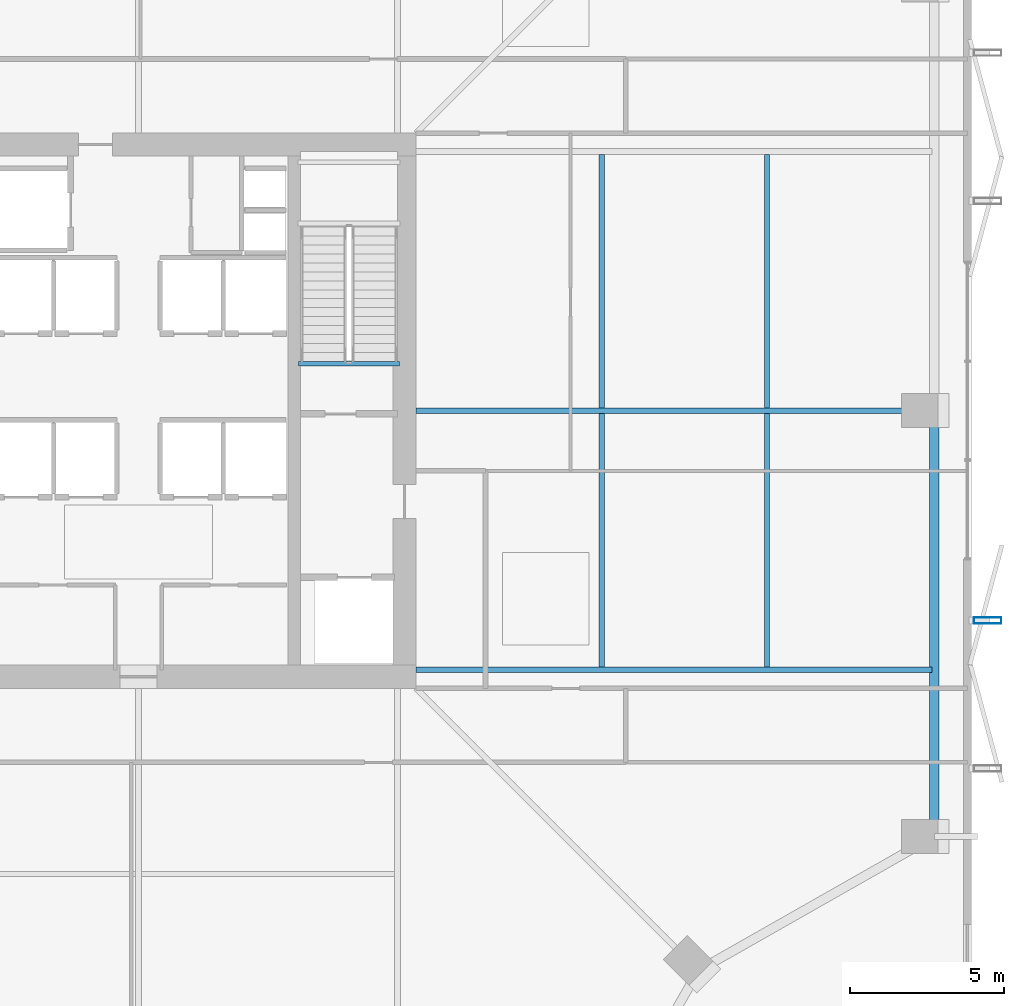
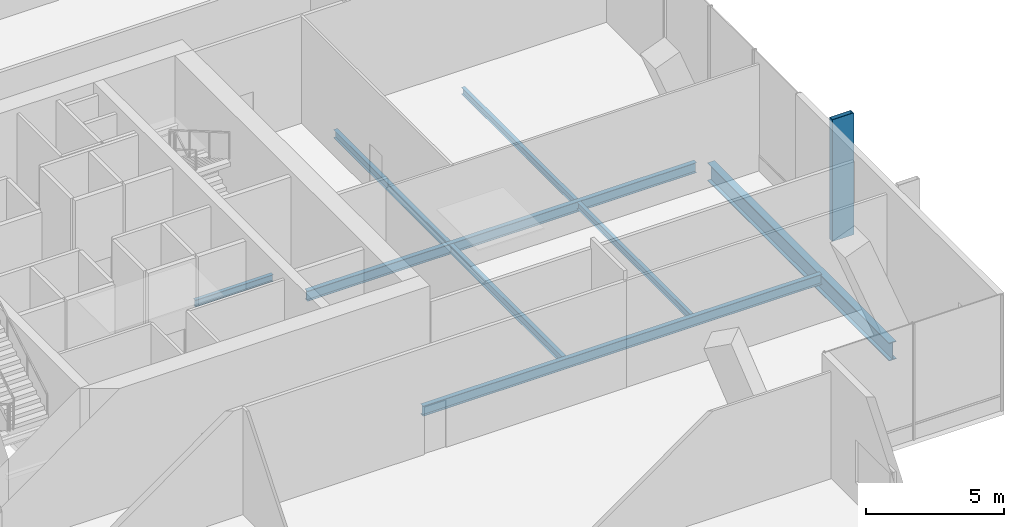
# One storey, part 15 of 33: 8 beams, 1 member.
"""IFC4 building model written with IfcOpenShell, lengths in metres."""

from ifc_helpers import new_model, si_unit, direction, frame, origin, origin_2d, place, context, subcontext, project, spatial, hollow_rectangle, i_section, extrude, material, material_profile, profile_set, type_object, element, save


model = new_model("IFC4")

# Units and contexts
model_context = context("Model", 3, precision=1e-05, world=origin(), true_north=direction((0.0, 1.0)))
body_context = subcontext(model_context, "Body", "Model", "MODEL_VIEW")
ifc_project = project(units=[si_unit("LENGTHUNIT", "METRE"), si_unit("AREAUNIT", "SQUARE_METRE"), si_unit("VOLUMEUNIT", "CUBIC_METRE"), si_unit("PLANEANGLEUNIT", "RADIAN"), si_unit("MASSUNIT", "GRAM", prefix="KILO")], contexts=[model_context])

# Site, building, storey
site_placement = place(None, origin())
site = spatial("IfcSite", under=ifc_project, at=site_placement, CompositionType="ELEMENT")
building_placement = place(site_placement, origin())
building = spatial("IfcBuilding", under=site, at=building_placement, Name="Belovzor Exchange Tower", CompositionType="ELEMENT")
storey_placement = place(building_placement, frame((0.0, 0.0, 241.199951171875)))
storey = spatial("IfcBuildingStorey", under=building, at=storey_placement, Name="L60", CompositionType="ELEMENT", Elevation=241.199951171875)

# Beams
ifc_material_1 = material(Name="Steel S355", Category="steel")
ifc_material_profile_1 = material_profile(ifc_material_1, i_section(OverallWidth=0.169921875, OverallDepth=0.360107421875, WebThickness=0.008056640625, FlangeThickness=0.0126953125, at=origin_2d()))
ifc_profile_set_1 = profile_set([ifc_material_profile_1], Name="Steel S355")
beam_type_1 = type_object("IfcBeamType", Name="Secondary Infill Floor Joist IPE 360", PredefinedType="BEAM", material=ifc_profile_set_1)
for number, where, z_axis, x_axis, name in (
    (1, (43.821044921875, 20.4951171875, -0.429931640625), (0.0, 1.0, 0.0), (-1.0, 0.0, 0.0), "FJ-360 Secondary Infill Floor Joist IPE 360"),
    (2, (43.821044921875, 28.89501953125, -0.429931640625), (0.0, 1.0, 0.0), (-1.0, 0.0, 0.0), "FJ-360 Secondary Infill Floor Joist IPE 360"),
):
    element("IfcBeam", number, at=place(storey_placement, frame(where, z_axis=z_axis, x_axis=x_axis)), inside=storey, type_object=beam_type_1, Name=name, PredefinedType="BEAM", context=body_context, shape_type="SweptSolid", body=[
        extrude(i_section(OverallWidth=0.169921875, OverallDepth=0.360107421875, WebThickness=0.008056640625, FlangeThickness=0.0126953125, at=origin_2d()), origin(), (0.0, 0.0, 1.0), 8.2099609375),
    ])
ifc_material_2 = material(Name="Steel S355", Category="steel")
ifc_material_profile_2 = material_profile(ifc_material_2, i_section(OverallWidth=0.14990234375, OverallDepth=0.300048828125, WebThickness=0.007080078125, FlangeThickness=0.0107421875, at=origin_2d()))
ifc_profile_set_2 = profile_set([ifc_material_profile_2], Name="Steel S355")
beam_type_2 = type_object("IfcBeamType", Name="Secondary Trim Floor Joist IPE 300", PredefinedType="BEAM", material=ifc_profile_set_2)
beam_1_placement = place(storey_placement, frame((37.260009765625, 30.320068359375, -0.39990234375), z_axis=(-1.0, 0.0, 0.0), x_axis=(0.0, -1.0, 0.0)))
element("IfcBeam", 3, at=beam_1_placement, inside=storey, type_object=beam_type_2, Name="FJ-300 Secondary Trim Floor Joist IPE 300", PredefinedType="BEAM", context=body_context, shape_type="SweptSolid", body=[
    extrude(i_section(OverallWidth=0.14990234375, OverallDepth=0.300048828125, WebThickness=0.007080078125, FlangeThickness=0.0107421875, at=origin_2d()), origin(), (0.0, 0.0, 1.0), 3.27001953125),
])
for number, where, z_axis, x_axis, name in (
    (4, (49.173095703125, 20.4951171875, -0.39990234375), (0.0, 1.0, 0.0), (-1.0, 0.0, 0.0), "FJ-300 Secondary Trim Floor Joist IPE 300"),
    (5, (49.173095703125, 28.89501953125, -0.39990234375), (0.0, 1.0, 0.0), (-1.0, 0.0, 0.0), "FJ-300 Secondary Trim Floor Joist IPE 300"),
):
    element("IfcBeam", number, at=place(storey_placement, frame(where, z_axis=z_axis, x_axis=x_axis)), inside=storey, type_object=beam_type_2, Name=name, PredefinedType="BEAM", context=body_context, shape_type="SweptSolid", body=[
        extrude(i_section(OverallWidth=0.14990234375, OverallDepth=0.300048828125, WebThickness=0.007080078125, FlangeThickness=0.0107421875, at=origin_2d()), origin(), (0.0, 0.0, 1.0), 8.2099609375),
    ])
ifc_material_3 = material(Name="Steel S355", Category="steel")
ifc_material_profile_3 = material_profile(ifc_material_3, i_section(OverallWidth=0.300048828125, OverallDepth=0.800048828125, WebThickness=0.017578125, FlangeThickness=0.032958984375, at=origin_2d()))
ifc_profile_set_3 = profile_set([ifc_material_profile_3], Name="Steel S355")
beam_type_3 = type_object("IfcBeamType", Name="Sky-Lobby Primary Girder HEB 800", PredefinedType="BEAM", material=ifc_profile_set_3)
beam_2_placement = place(storey_placement, frame((54.60009765625, 15.302978515625, -0.64990234375), z_axis=(0.0, 1.0, 0.0), x_axis=(-1.0, 0.0, 0.0)))
element("IfcBeam", 6, at=beam_2_placement, inside=storey, type_object=beam_type_3, Name="SG-1 Sky-Lobby Primary Girder HEB 800", PredefinedType="BEAM", context=body_context, shape_type="SweptSolid", body=[
    extrude(i_section(OverallWidth=0.300048828125, OverallDepth=0.800048828125, WebThickness=0.017578125, FlangeThickness=0.032958984375, at=origin_2d()), origin(), (0.0, 0.0, 1.0), 13.195068359375),
])

# Member
ifc_material_4 = material(Name="Extruded Architectural Terracotta on Steel S355 Carrier", Category="masonry")
ifc_material_profile_4 = material_profile(ifc_material_4, hollow_rectangle(XDim=0.199951171875, YDim=0.89990234375, WallThickness=0.011962890625, at=origin_2d()))
ifc_profile_set_4 = profile_set([ifc_material_profile_4], Name="Extruded Architectural Terracotta on Steel S355 Carrier")
member_type = type_object("IfcMemberType", Name="Sweeping Terracotta Baguette Fin Assembly 950", PredefinedType="USERDEFINED", material=ifc_profile_set_4)
member_placement = place(storey_placement, frame((56.324951171875, 22.0, -0.25), z_axis=(0.0, 0.0, 1.0), x_axis=(0.0, 1.0, 0.0)))
element("IfcMember", 7, at=member_placement, inside=storey, type_object=member_type, Name="FIN-TC095 Terracotta Facade Fin L60 E2", ObjectType="FIN", PredefinedType="USERDEFINED", context=body_context, shape_type="SweptSolid", body=[
    extrude(hollow_rectangle(XDim=0.199951171875, YDim=0.89990234375, WallThickness=0.011962890625, at=origin_2d()), origin(), (0.0, 0.0, 1.0), 5.400146484375),
])

# Beams
ifc_material_5 = material(Name="Steel S355", Category="steel")
ifc_material_profile_5 = material_profile(ifc_material_5, i_section(OverallWidth=0.18994140625, OverallDepth=0.449951171875, WebThickness=0.009521484375, FlangeThickness=0.0146484375, at=origin_2d()))
ifc_profile_set_5 = profile_set([ifc_material_profile_5], Name="Steel S355")
beam_type_4 = type_object("IfcBeamType", Name="Zone 2-4 Radial Composite Floor Beam IPE 450", PredefinedType="BEAM", material=ifc_profile_set_5)
beam_3_placement = place(storey_placement, frame((37.800048828125, 20.39990234375, -0.474853515625), z_axis=(1.0, 0.0, 0.0), x_axis=(0.0, 1.0, 0.0)))
element("IfcBeam", 8, at=beam_3_placement, inside=storey, type_object=beam_type_4, Name="FB-450 Zone 2-4 Radial Composite Floor Beam IPE 450", PredefinedType="BEAM", context=body_context, shape_type="SweptSolid", body=[
    extrude(i_section(OverallWidth=0.18994140625, OverallDepth=0.449951171875, WebThickness=0.009521484375, FlangeThickness=0.0146484375, at=origin_2d()), origin(), (0.0, 0.0, 1.0), 16.724853515625),
])
beam_4_placement = place(storey_placement, frame((37.800048828125, 28.800048828125, -0.474853515625), z_axis=(1.0, 0.0, 0.0), x_axis=(0.0, 1.0, 0.0)))
element("IfcBeam", 9, at=beam_4_placement, inside=storey, type_object=beam_type_4, Name="FB-450 Zone 2-4 Radial Composite Floor Beam IPE 450", PredefinedType="BEAM", context=body_context, shape_type="SweptSolid", body=[
    extrude(i_section(OverallWidth=0.18994140625, OverallDepth=0.449951171875, WebThickness=0.009521484375, FlangeThickness=0.0146484375, at=origin_2d()), origin(), (0.0, 0.0, 1.0), 16.31591796875),
])

save(model, "model.ifc")
